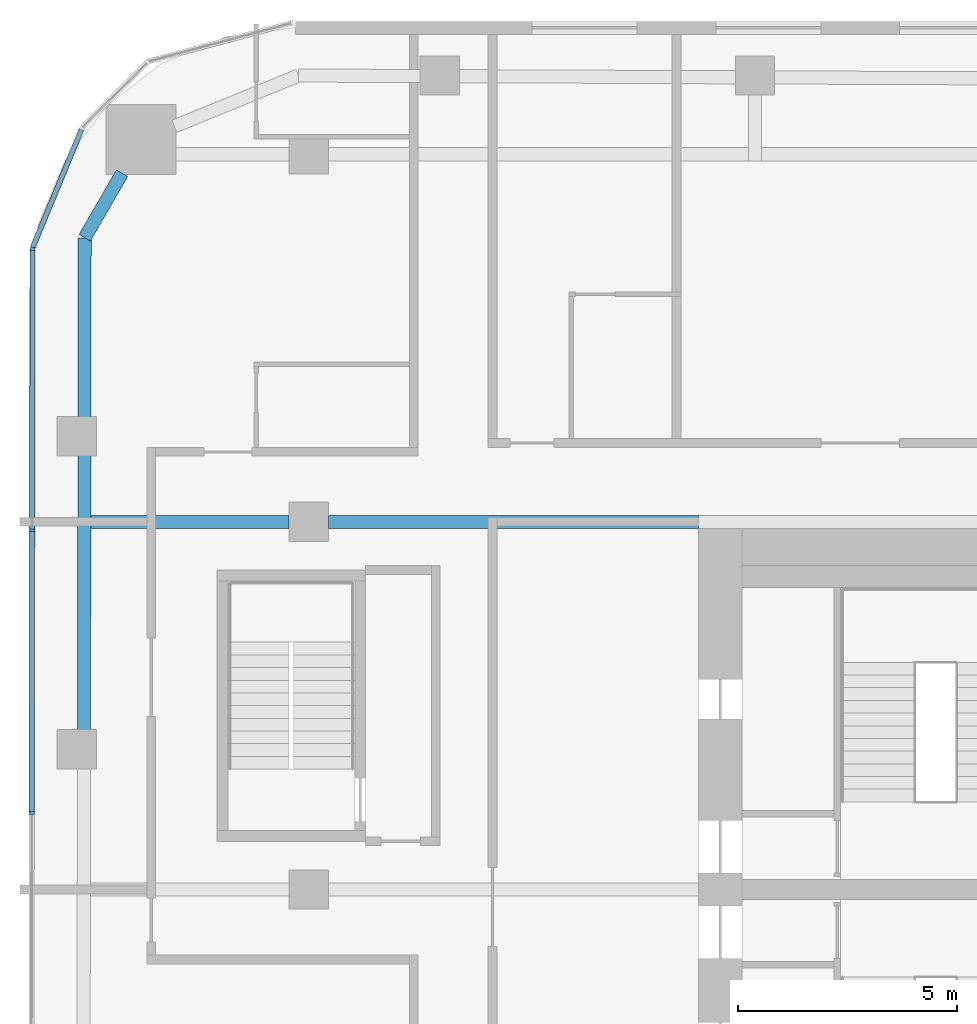
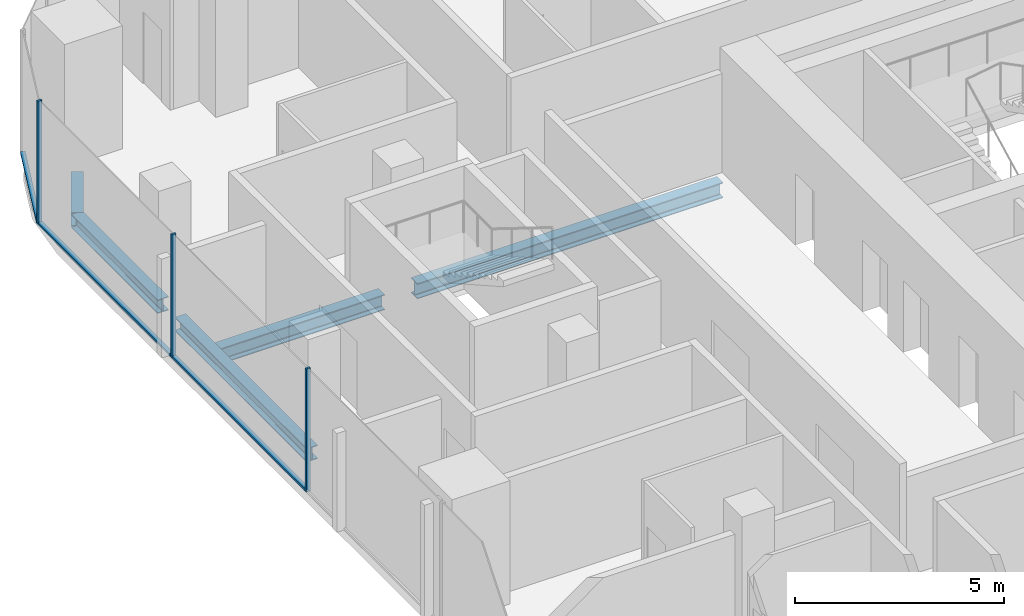
# One storey, part 8 of 23: 6 members, 5 beams, 2 elements without a shape of their own.
"""IFC4 building model written with IfcOpenShell, lengths in metres."""

from ifc_helpers import new_model, si_unit, direction, frame, origin, origin_2d, place, context, subcontext, project, spatial, rectangle, i_section, extrude, material, layer, layer_set, material_profile, profile_set, type_object, element, aggregate, save


model = new_model("IFC4")

# Units and contexts
model_context = context("Model", 3, precision=1e-05, world=origin(), true_north=direction((0.0, 1.0)))
body_context = subcontext(model_context, "Body", "Model", "MODEL_VIEW")
ifc_project = project(units=[si_unit("LENGTHUNIT", "METRE"), si_unit("AREAUNIT", "SQUARE_METRE"), si_unit("VOLUMEUNIT", "CUBIC_METRE"), si_unit("PLANEANGLEUNIT", "RADIAN"), si_unit("MASSUNIT", "GRAM", prefix="KILO")], contexts=[model_context])

# Site, building, storey
site_placement = place(None, origin())
site = spatial("IfcSite", under=ifc_project, at=site_placement, CompositionType="ELEMENT")
building_placement = place(site_placement, origin())
building = spatial("IfcBuilding", under=site, at=building_placement, Name="Marenta Gate Hotel Tower", CompositionType="ELEMENT")
storey_placement = place(building_placement, frame((0.0, 0.0, 140.89990234375)))
storey = spatial("IfcBuildingStorey", under=building, at=storey_placement, Name="L32", CompositionType="ELEMENT", Elevation=140.89990234375)

# Beams
ifc_material_1 = material(Name="Steel S355", Category="steel")
ifc_material_profile_1 = material_profile(ifc_material_1, i_section(OverallWidth=0.300048828125, OverallDepth=0.39990234375, WebThickness=0.013427734375, FlangeThickness=0.02392578125, FilletRadius=0.027099609375, at=origin_2d()), Name="HEB 400")
ifc_profile_set_1 = profile_set([ifc_material_profile_1], Name="Steel S355")
beam_type_1 = type_object("IfcBeamType", Name="Edge beam HEB 400", PredefinedType="SPANDREL", material=ifc_profile_set_1)
beam_1_placement = place(storey_placement, frame((-26.136962890625, 12.01318359375, -0.4599609375), z_axis=(0.001387763206, 0.999999037056, 0.0), x_axis=(-0.999999037056, 0.001387763206, 0.0)))
element("IfcBeam", 1, at=beam_1_placement, inside=storey, type_object=beam_type_1, Name="L32-EB-9", PredefinedType="SPANDREL", context=body_context, shape_type="SweptSolid", body=[
    extrude(i_section(OverallWidth=0.300048828125, OverallDepth=0.39990234375, WebThickness=0.013427734375, FlangeThickness=0.02392578125, FilletRadius=0.027099609375, at=origin_2d()), origin(), (0.0, 0.0, 1.0), 6.333251953125),
])
beam_2_placement = place(storey_placement, frame((-26.126953125, 19.16650390625, -0.4599609375), z_axis=(0.001361187116, 0.999999073584, 0.0), x_axis=(-0.999999073584, 0.001361187116, 0.0)))
element("IfcBeam", 2, at=beam_2_placement, inside=storey, type_object=beam_type_1, Name="L32-EB-10", PredefinedType="SPANDREL", context=body_context, shape_type="SweptSolid", body=[
    extrude(i_section(OverallWidth=0.300048828125, OverallDepth=0.39990234375, WebThickness=0.013427734375, FlangeThickness=0.02392578125, FilletRadius=0.027099609375, at=origin_2d()), origin(), (0.0, 0.0, 1.0), 4.125244140625),
])
beam_3_placement = place(storey_placement, frame((-26.121337890625, 23.291748046875, -0.4599609375), z_axis=(0.500015459501, 0.866016478054, 0.0), x_axis=(-0.866016478054, 0.500015459501, 0.0)))
element("IfcBeam", 3, at=beam_3_placement, inside=storey, type_object=beam_type_1, Name="L32-EB-11", PredefinedType="SPANDREL", context=body_context, shape_type="SweptSolid", body=[
    extrude(i_section(OverallWidth=0.300048828125, OverallDepth=0.39990234375, WebThickness=0.013427734375, FlangeThickness=0.02392578125, FilletRadius=0.027099609375, at=origin_2d()), origin(), (0.0, 0.0, 1.0), 1.70703125),
])
ifc_material_2 = material(Name="Steel S355", Category="steel")
ifc_material_profile_2 = material_profile(ifc_material_2, i_section(OverallWidth=0.300048828125, OverallDepth=0.449951171875, WebThickness=0.013916015625, FlangeThickness=0.02587890625, FilletRadius=0.027099609375, at=origin_2d()), Name="HEB 450")
ifc_profile_set_2 = profile_set([ifc_material_profile_2], Name="Steel S355")
beam_type_2 = type_object("IfcBeamType", Name="Girder HEB 450", PredefinedType="BEAM", material=ifc_profile_set_2)
beam_4_placement = place(storey_placement, frame((-25.980224609375, 16.800048828125, -0.48486328125), z_axis=(1.0, 0.0, 0.0), x_axis=(0.0, 1.0, 0.0)))
element("IfcBeam", 4, at=beam_4_placement, inside=storey, type_object=beam_type_2, Name="L32-GD-24", PredefinedType="BEAM", context=body_context, shape_type="SweptSolid", body=[
    extrude(i_section(OverallWidth=0.300048828125, OverallDepth=0.449951171875, WebThickness=0.013916015625, FlangeThickness=0.02587890625, FilletRadius=0.027099609375, at=origin_2d()), origin(), (0.0, 0.0, 1.0), 4.5302734375),
])
beam_5_placement = place(storey_placement, frame((-20.550048828125, 16.800048828125, -0.48486328125), z_axis=(1.0, 0.0, 0.0), x_axis=(0.0, 1.0, 0.0)))
element("IfcBeam", 5, at=beam_5_placement, inside=storey, type_object=beam_type_2, Name="L32-GD-25", PredefinedType="BEAM", context=body_context, shape_type="SweptSolid", body=[
    extrude(i_section(OverallWidth=0.300048828125, OverallDepth=0.449951171875, WebThickness=0.013916015625, FlangeThickness=0.02587890625, FilletRadius=0.027099609375, at=origin_2d()), origin(), (0.0, 0.0, 1.0), 8.449951171875),
])

# Curtain wall, members
ifc_material_3 = material(Name="Tinted insulated glass in bronze anodised frame", Category="glass")
ifc_layer = layer(ifc_material_3, 0.1201171875)
ifc_layer_set = layer_set([ifc_layer], Name="Tinted insulated glass in bronze anodised frame")
curtain_wall_type = type_object("IfcCurtainWallType", Name="Tower unitised curtain wall CW1", PredefinedType="NOTDEFINED", material=ifc_layer_set)
curtain_wall_1_placement = place(storey_placement, origin())
curtain_wall_1 = element("IfcCurtainWall", 6, at=curtain_wall_1_placement, inside=storey, type_object=curtain_wall_type, Name="CW1 run G03", PredefinedType="NOTDEFINED")
ifc_material_4 = material(Name="Bronze anodised aluminium", Category="aluminium")
ifc_material_profile_3 = material_profile(ifc_material_4, rectangle(XDim=0.1201171875, YDim=0.06005859375, at=origin_2d()), Name="Mullion CW1 60x120 bronze anodised aluminium")
ifc_profile_set_3 = profile_set([ifc_material_profile_3], Name="Bronze anodised aluminium")
member_type_1 = type_object("IfcMemberType", Name="Mullion CW1 60x120 bronze anodised aluminium", PredefinedType="MULLION", material=ifc_profile_set_3)
member_1_placement = place(storey_placement, frame((-27.312255859375, 23.0361328125, 0.0), z_axis=(0.0, 0.0, 1.0), x_axis=(0.99999877375, -0.001566045546, 0.0)))
member_1 = element("IfcMember", 7, at=member_1_placement, type_object=member_type_1, Name="CW1 mullion 1", PredefinedType="MULLION", context=body_context, shape_type="SweptSolid", body=[
    extrude(rectangle(XDim=0.1201171875, YDim=0.06005859375, at=origin_2d()), origin(), (0.0, 0.0, 1.0), 3.60009765625),
])
member_2_placement = place(storey_placement, frame((-27.322509765625, 16.606201171875, 0.0), z_axis=(0.0, 0.0, 1.0), x_axis=(0.99999877375, -0.001566045546, 0.0)))
member_2 = element("IfcMember", 8, at=member_2_placement, type_object=member_type_1, Name="CW1 mullion 2", PredefinedType="MULLION", context=body_context, shape_type="SweptSolid", body=[
    extrude(rectangle(XDim=0.1201171875, YDim=0.06005859375, at=origin_2d()), origin(), (0.0, 0.0, 1.0), 3.60009765625),
])
member_3_placement = place(storey_placement, frame((-27.33251953125, 10.146240234375, 0.0), z_axis=(0.0, 0.0, 1.0), x_axis=(0.99999877375, -0.001566045546, 0.0)))
member_3 = element("IfcMember", 9, at=member_3_placement, type_object=member_type_1, Name="CW1 mullion 3", PredefinedType="MULLION", context=body_context, shape_type="SweptSolid", body=[
    extrude(rectangle(XDim=0.1201171875, YDim=0.06005859375, at=origin_2d()), origin(), (0.0, 0.0, 1.0), 3.60009765625),
])

# Curtain wall, member
curtain_wall_2_placement = place(storey_placement, origin())
curtain_wall_2 = element("IfcCurtainWall", 10, at=curtain_wall_2_placement, inside=storey, type_object=curtain_wall_type, Name="CW1 run G02", PredefinedType="NOTDEFINED")
ifc_material_5 = material(Name="Bronze anodised aluminium", Category="aluminium")
ifc_material_profile_4 = material_profile(ifc_material_5, rectangle(XDim=0.1201171875, YDim=0.06005859375, at=origin_2d()), Name="Transom CW1 60x120 bronze anodised aluminium")
ifc_profile_set_4 = profile_set([ifc_material_profile_4], Name="Bronze anodised aluminium")
member_type_2 = type_object("IfcMemberType", Name="Transom CW1 60x120 bronze anodised aluminium", PredefinedType="USERDEFINED", material=ifc_profile_set_4)
member_4_placement = place(storey_placement, frame((-26.1953125, 25.76318359375, 0.030029296875), z_axis=(-0.382625093284, -0.923903695192, 0.0), x_axis=(0.923903695192, -0.382625093284, 0.0)))
member_4 = element("IfcMember", 11, at=member_4_placement, type_object=member_type_2, Name="CW1 transom 1.1", ObjectType="TRANSOM", PredefinedType="USERDEFINED", context=body_context, shape_type="SweptSolid", body=[
    extrude(rectangle(XDim=0.1201171875, YDim=0.06005859375, at=origin_2d()), origin(), (0.0, 0.0, 1.0), 2.919189453125),
])
aggregate(curtain_wall_2, [member_4])

# Member
member_5_placement = place(storey_placement, frame((-27.3125, 23.006103515625, 0.030029296875), z_axis=(-0.001533093902, -0.999998824811, 0.0), x_axis=(0.999998824811, -0.001533093902, 0.0)))
member_5 = element("IfcMember", 12, at=member_5_placement, type_object=member_type_2, Name="CW1 transom 1.1", ObjectType="TRANSOM", PredefinedType="USERDEFINED", context=body_context, shape_type="SweptSolid", body=[
    extrude(rectangle(XDim=0.1201171875, YDim=0.06005859375, at=origin_2d()), origin(), (0.0, 0.0, 1.0), 6.369873046875),
])

member_6_placement = place(storey_placement, frame((-27.322509765625, 16.576171875, 0.030029296875), z_axis=(-0.001564047831, -0.999998776876, 0.0), x_axis=(0.999998776876, -0.001564047831, 0.0)))
member_6 = element("IfcMember", 13, at=member_6_placement, type_object=member_type_2, Name="CW1 transom 2.1", ObjectType="TRANSOM", PredefinedType="USERDEFINED", context=body_context, shape_type="SweptSolid", body=[
    extrude(rectangle(XDim=0.1201171875, YDim=0.06005859375, at=origin_2d()), origin(), (0.0, 0.0, 1.0), 6.39990234375),
])

aggregate(curtain_wall_1, [member_1, member_2, member_3, member_5, member_6])

save(model, "model.ifc")
